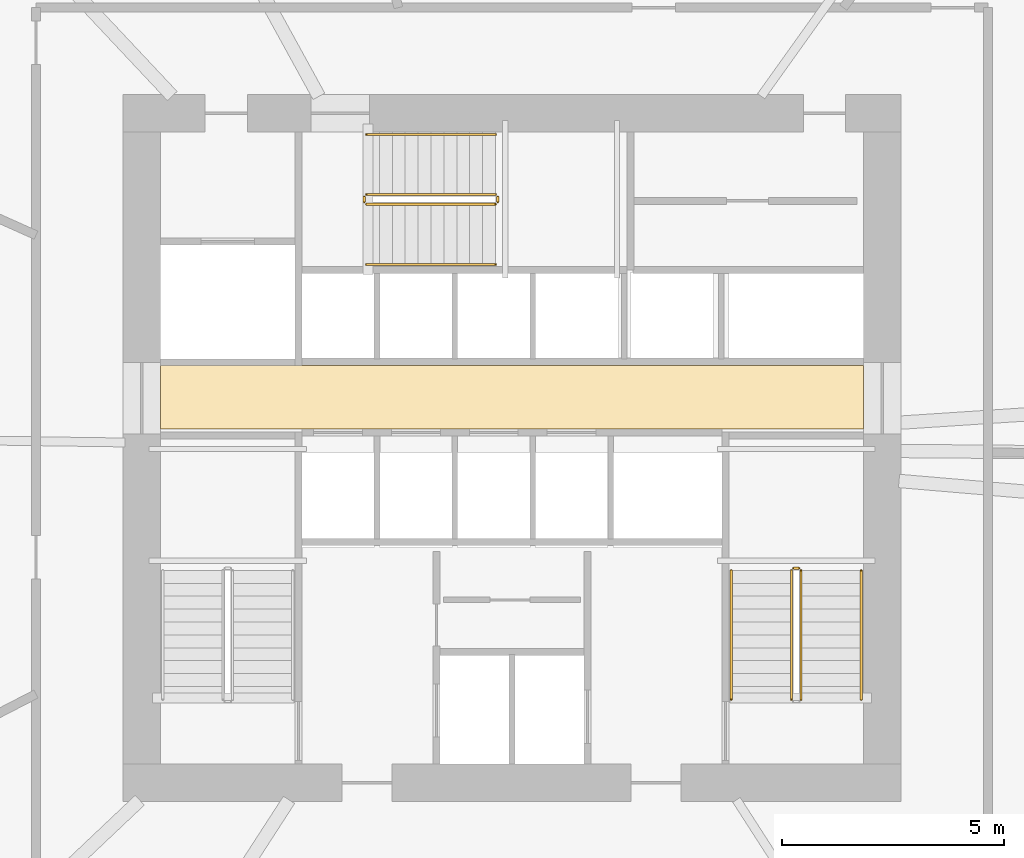
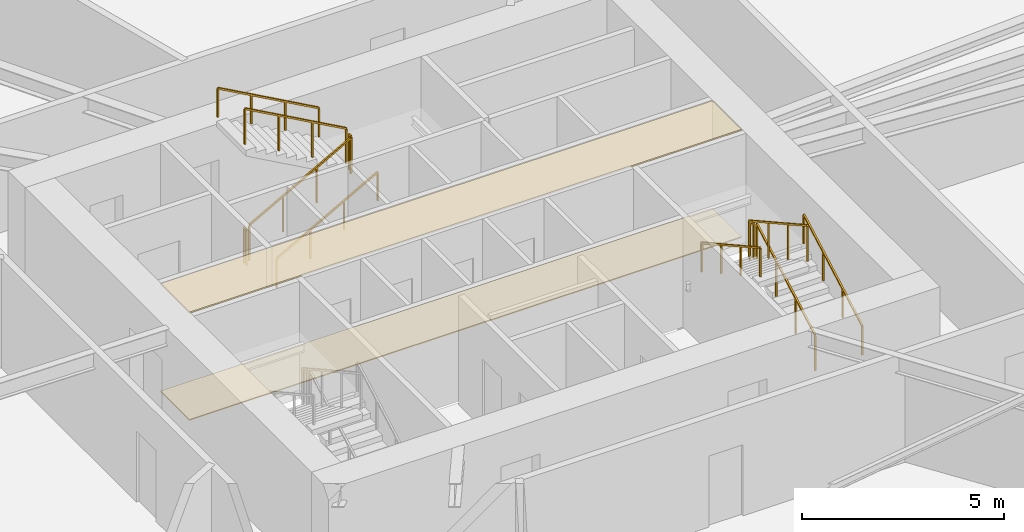
# One storey, part 23 of 24: 11 railings, 2 coverings.
"""IFC4 building model written with IfcOpenShell, lengths in metres."""

from ifc_helpers import new_model, si_unit, direction, frame, origin, origin_2d, place, context, subcontext, project, spatial, polyline, rectangle, outline, extrude, material, layer, layer_set, type_object, element, save


model = new_model("IFC4")

# Units and contexts
model_context = context("Model", 3, precision=1e-05, world=origin(), true_north=direction((0.0, 1.0)))
body_context = subcontext(model_context, "Body", "Model", "MODEL_VIEW")
ifc_project = project(units=[si_unit("LENGTHUNIT", "METRE"), si_unit("AREAUNIT", "SQUARE_METRE"), si_unit("VOLUMEUNIT", "CUBIC_METRE"), si_unit("PLANEANGLEUNIT", "RADIAN"), si_unit("MASSUNIT", "GRAM", prefix="KILO")], contexts=[model_context])

# Site, building, storey
site_placement = place(None, origin())
site = spatial("IfcSite", under=ifc_project, at=site_placement, CompositionType="ELEMENT")
building_placement = place(site_placement, origin())
building = spatial("IfcBuilding", under=site, at=building_placement, Name="Olszyna Solenne Hotel", CompositionType="ELEMENT")
storey_placement = place(building_placement, frame((0.0, 0.0, 29.300048828125)))
storey = spatial("IfcBuildingStorey", under=building, at=storey_placement, Name="L06", CompositionType="ELEMENT", Elevation=29.300048828125)

# Coverings
ifc_material_1 = material(Name="Mineral wool acoustic ceiling")
ifc_layer_1 = layer(ifc_material_1, 0.0400390625, Name="Mineral wool acoustic ceiling")
ifc_layer_set_1 = layer_set([ifc_layer_1], Name="Mineral wool acoustic ceiling")
covering_type_1 = type_object("IfcCoveringType", Name="CL-AC1", PredefinedType="CEILING", material=ifc_layer_set_1)
covering_1_placement = place(storey_placement, frame((0.0, 0.0, 3.239990234375)))
element("IfcCovering", 1, at=covering_1_placement, inside=storey, type_object=covering_type_1, Name="Lift lobby acoustic tile ceiling CL-L06-01", PredefinedType="CEILING", context=body_context, shape_type="SweptSolid", body=[
    extrude(outline(polyline([(30.10009765625, 27.030029296875), (45.89990234375, 27.030029296875), (45.89990234375, 28.4599609375), (30.10009765625, 28.4599609375), (30.10009765625, 27.030029296875)])), origin(), (0.0, 0.0, 1.0), 0.0400390625),
])
ifc_material_2 = material(Name="Ceramic floor tile")
ifc_layer_2 = layer(ifc_material_2, 0.030029296875, Name="Ceramic floor tile")
ifc_layer_set_2 = layer_set([ifc_layer_2], Name="Ceramic floor tile")
covering_type_2 = type_object("IfcCoveringType", Name="FL-TL1", PredefinedType="FLOORING", material=ifc_layer_set_2)
covering_2_placement = place(storey_placement, origin())
element("IfcCovering", 2, at=covering_2_placement, inside=storey, type_object=covering_type_2, Name="Lift lobby stoneware floor finish FLR-L06-01", PredefinedType="FLOORING", context=body_context, shape_type="SweptSolid", body=[
    extrude(outline(polyline([(30.10009765625, 27.030029296875), (45.89990234375, 27.030029296875), (45.89990234375, 28.4599609375), (30.10009765625, 28.4599609375), (30.10009765625, 27.030029296875)])), origin(), (0.0, 0.0, 1.0), 0.030029296875),
])

# Railings
ifc_material_3 = material(Name="Anodised bronze aluminium", Category="aluminium")
railing_type_1 = type_object("IfcRailingType", Name="GR-110", PredefinedType="BALUSTRADE", material=ifc_material_3)
railing_1_placement = place(storey_placement, frame((44.5, 20.949951171875, 0.161376953125)))
element("IfcRailing", 3, at=railing_1_placement, inside=storey, type_object=railing_type_1, Name="L06 ST2 stair guard 1", PredefinedType="BALUSTRADE", context=body_context, shape_type="SweptSolid", body=[
    extrude(rectangle(XDim=0.048095703125, YDim=0.048095703125, at=origin_2d()), frame((0.0, 0.0, 1.076171875), z_axis=(0.0, 0.873858693841, 0.486179990537), x_axis=(-1.0, 0.0, 0.0)), (0.0, 0.0, 1.0), 3.31884765625),
    extrude(rectangle(XDim=0.0419921875, YDim=0.0419921875, at=origin_2d()), origin(), (0.0, 0.0, 1.0), 1.052001953125),
    extrude(rectangle(XDim=0.0419921875, YDim=0.0419921875, at=origin_2d()), frame((0.0, 0.966796875, 0.537841796875)), (0.0, 0.0, 1.0), 1.052001953125),
    extrude(rectangle(XDim=0.0419921875, YDim=0.0419921875, at=origin_2d()), frame((0.0, 1.933349609375, 1.07568359375)), (0.0, 0.0, 1.0), 1.052001953125),
    extrude(rectangle(XDim=0.0419921875, YDim=0.0419921875, at=origin_2d()), frame((0.0, 2.900146484375, 1.613525390625)), (0.0, 0.0, 1.0), 1.052001953125),
])
railing_2_placement = place(storey_placement, frame((44.449951171875, 23.89990234375, 1.77490234375)))
element("IfcRailing", 4, at=railing_2_placement, inside=storey, type_object=railing_type_1, Name="L06 ST2 stair guard 2", PredefinedType="BALUSTRADE", context=body_context, shape_type="SweptSolid", body=[
    extrude(rectangle(XDim=0.048095703125, YDim=0.048095703125, at=origin_2d()), frame((0.0, 0.0, 1.076171875), z_axis=(-1.0, 0.0, 0.0), x_axis=(0.0, -1.0, 0.0)), (0.0, 0.0, 1.0), 0.119873046875),
    extrude(rectangle(XDim=0.0419921875, YDim=0.0419921875, at=origin_2d()), origin(), (0.0, 0.0, 1.0), 1.052001953125),
    extrude(rectangle(XDim=0.0419921875, YDim=0.0419921875, at=origin_2d()), frame((-0.119873046875, 0.0, 0.0)), (0.0, 0.0, 1.0), 1.052001953125),
])
railing_3_placement = place(storey_placement, frame((44.280029296875, 23.85009765625, 1.936279296875)))
element("IfcRailing", 5, at=railing_3_placement, inside=storey, type_object=railing_type_1, Name="L06 ST2 stair guard 3", PredefinedType="BALUSTRADE", context=body_context, shape_type="SweptSolid", body=[
    extrude(rectangle(XDim=0.048095703125, YDim=0.048095703125, at=origin_2d()), frame((0.0, 0.0, 1.076171875), z_axis=(0.0, -0.873827439584, 0.48623616261), x_axis=(1.0, 0.0, 0.0)), (0.0, 0.0, 1.0), 3.31884765625),
    extrude(rectangle(XDim=0.0419921875, YDim=0.0419921875, at=origin_2d()), origin(), (0.0, 0.0, 1.0), 1.052001953125),
    extrude(rectangle(XDim=0.0419921875, YDim=0.0419921875, at=origin_2d()), frame((0.0, -0.966796875, 0.537841796875)), (0.0, 0.0, 1.0), 1.052001953125),
    extrude(rectangle(XDim=0.0419921875, YDim=0.0419921875, at=origin_2d()), frame((0.0, -1.933349609375, 1.075927734375)), (0.0, 0.0, 1.0), 1.052001953125),
    extrude(rectangle(XDim=0.0419921875, YDim=0.0419921875, at=origin_2d()), frame((0.0, -2.900146484375, 1.61376953125)), (0.0, 0.0, 1.0), 1.052001953125),
])
railing_4_placement = place(storey_placement, frame((34.72998046875, 32.080078125, 0.161376953125)))
element("IfcRailing", 6, at=railing_4_placement, inside=storey, type_object=railing_type_1, Name="L06 ST3 stair guard 1", PredefinedType="BALUSTRADE", context=body_context, shape_type="SweptSolid", body=[
    extrude(rectangle(XDim=0.048095703125, YDim=0.048095703125, at=origin_2d()), frame((0.0, 0.0, 1.076171875), z_axis=(0.873841303929, 0.0, 0.486211245805), x_axis=(0.0, 1.0, 0.0)), (0.0, 0.0, 1.0), 3.318603515625),
    extrude(rectangle(XDim=0.0419921875, YDim=0.0419921875, at=origin_2d()), origin(), (0.0, 0.0, 1.0), 1.052001953125),
    extrude(rectangle(XDim=0.0419921875, YDim=0.0419921875, at=origin_2d()), frame((0.966552734375, 0.0, 0.537841796875)), (0.0, 0.0, 1.0), 1.052001953125),
    extrude(rectangle(XDim=0.0419921875, YDim=0.0419921875, at=origin_2d()), frame((1.933349609375, 0.0, 1.07568359375)), (0.0, 0.0, 1.0), 1.052001953125),
    extrude(rectangle(XDim=0.0419921875, YDim=0.0419921875, at=origin_2d()), frame((2.89990234375, 0.0, 1.613525390625)), (0.0, 0.0, 1.0), 1.052001953125),
])
railing_5_placement = place(storey_placement, frame((37.679931640625, 32.1298828125, 1.77490234375)))
element("IfcRailing", 7, at=railing_5_placement, inside=storey, type_object=railing_type_1, Name="L06 ST3 stair guard 2", PredefinedType="BALUSTRADE", context=body_context, shape_type="SweptSolid", body=[
    extrude(rectangle(XDim=0.048095703125, YDim=0.048095703125, at=origin_2d()), frame((0.0, 0.0, 1.076171875), z_axis=(0.0, 1.0, 0.0), x_axis=(-1.0, 0.0, 0.0)), (0.0, 0.0, 1.0), 0.1201171875),
    extrude(rectangle(XDim=0.0419921875, YDim=0.0419921875, at=origin_2d()), origin(), (0.0, 0.0, 1.0), 1.052001953125),
    extrude(rectangle(XDim=0.0419921875, YDim=0.0419921875, at=origin_2d()), frame((0.0, 0.1201171875, 0.0)), (0.0, 0.0, 1.0), 1.052001953125),
])
railing_6_placement = place(storey_placement, frame((37.6298828125, 32.300048828125, 1.936279296875)))
element("IfcRailing", 8, at=railing_6_placement, inside=storey, type_object=railing_type_1, Name="L06 ST3 stair guard 3", PredefinedType="BALUSTRADE", context=body_context, shape_type="SweptSolid", body=[
    extrude(rectangle(XDim=0.048095703125, YDim=0.048095703125, at=origin_2d()), frame((0.0, 0.0, 1.076171875), z_axis=(-0.873810046276, 0.0, 0.486267419253), x_axis=(0.0, -1.0, 0.0)), (0.0, 0.0, 1.0), 3.318603515625),
    extrude(rectangle(XDim=0.0419921875, YDim=0.0419921875, at=origin_2d()), origin(), (0.0, 0.0, 1.0), 1.052001953125),
    extrude(rectangle(XDim=0.0419921875, YDim=0.0419921875, at=origin_2d()), frame((-0.966552734375, 0.0, 0.537841796875)), (0.0, 0.0, 1.0), 1.052001953125),
    extrude(rectangle(XDim=0.0419921875, YDim=0.0419921875, at=origin_2d()), frame((-1.933349609375, 0.0, 1.075927734375)), (0.0, 0.0, 1.0), 1.052001953125),
    extrude(rectangle(XDim=0.0419921875, YDim=0.0419921875, at=origin_2d()), frame((-2.89990234375, 0.0, 1.61376953125)), (0.0, 0.0, 1.0), 1.052001953125),
])
railing_7_placement = place(storey_placement, frame((34.679931640625, 32.1298828125, 0.0)))
element("IfcRailing", 9, at=railing_7_placement, inside=storey, type_object=railing_type_1, Name="L06 ST3 stair guard 4", PredefinedType="BALUSTRADE", context=body_context, shape_type="SweptSolid", body=[
    extrude(rectangle(XDim=0.048095703125, YDim=0.048095703125, at=origin_2d()), frame((0.0, 0.0, 1.076171875), z_axis=(0.0, 1.0, 0.0), x_axis=(-1.0, 0.0, 0.0)), (0.0, 0.0, 1.0), 0.1201171875),
    extrude(rectangle(XDim=0.0419921875, YDim=0.0419921875, at=origin_2d()), origin(), (0.0, 0.0, 1.0), 1.052001953125),
    extrude(rectangle(XDim=0.0419921875, YDim=0.0419921875, at=origin_2d()), frame((0.0, 0.1201171875, 0.0)), (0.0, 0.0, 1.0), 1.052001953125),
])
ifc_material_4 = material(Name="Steel S355J2", Category="steel")
railing_type_2 = type_object("IfcRailingType", Name="HR-090", PredefinedType="HANDRAIL", material=ifc_material_4)
railing_8_placement = place(storey_placement, frame((45.85009765625, 20.949951171875, 0.161376953125)))
element("IfcRailing", 10, at=railing_8_placement, inside=storey, type_object=railing_type_2, Name="L06 ST2 stair handrail 1", PredefinedType="HANDRAIL", context=body_context, shape_type="SweptSolid", body=[
    extrude(rectangle(XDim=0.048095703125, YDim=0.048095703125, at=origin_2d()), frame((0.0, 0.0, 0.8759765625), z_axis=(0.0, 0.873858693841, 0.486179990537), x_axis=(-1.0, 0.0, 0.0)), (0.0, 0.0, 1.0), 3.31884765625),
    extrude(rectangle(XDim=0.0419921875, YDim=0.0419921875, at=origin_2d()), origin(), (0.0, 0.0, 1.0), 0.851806640625),
    extrude(rectangle(XDim=0.0419921875, YDim=0.0419921875, at=origin_2d()), frame((0.0, 0.966796875, 0.537841796875)), (0.0, 0.0, 1.0), 0.851806640625),
    extrude(rectangle(XDim=0.0419921875, YDim=0.0419921875, at=origin_2d()), frame((0.0, 1.933349609375, 1.07568359375)), (0.0, 0.0, 1.0), 0.851806640625),
    extrude(rectangle(XDim=0.0419921875, YDim=0.0419921875, at=origin_2d()), frame((0.0, 2.900146484375, 1.613525390625)), (0.0, 0.0, 1.0), 0.851806640625),
])
railing_9_placement = place(storey_placement, frame((42.929931640625, 23.85009765625, 1.936279296875)))
element("IfcRailing", 11, at=railing_9_placement, inside=storey, type_object=railing_type_2, Name="L06 ST2 stair handrail 2", PredefinedType="HANDRAIL", context=body_context, shape_type="SweptSolid", body=[
    extrude(rectangle(XDim=0.048095703125, YDim=0.048095703125, at=origin_2d()), frame((0.0, 0.0, 0.8759765625), z_axis=(0.0, -0.873827439584, 0.48623616261), x_axis=(1.0, 0.0, 0.0)), (0.0, 0.0, 1.0), 3.31884765625),
    extrude(rectangle(XDim=0.0419921875, YDim=0.0419921875, at=origin_2d()), origin(), (0.0, 0.0, 1.0), 0.851806640625),
    extrude(rectangle(XDim=0.0419921875, YDim=0.0419921875, at=origin_2d()), frame((0.0, -0.966796875, 0.537841796875)), (0.0, 0.0, 1.0), 0.851806640625),
    extrude(rectangle(XDim=0.0419921875, YDim=0.0419921875, at=origin_2d()), frame((0.0, -1.933349609375, 1.075927734375)), (0.0, 0.0, 1.0), 0.851806640625),
    extrude(rectangle(XDim=0.0419921875, YDim=0.0419921875, at=origin_2d()), frame((0.0, -2.900146484375, 1.61376953125)), (0.0, 0.0, 1.0), 0.851806640625),
])
railing_10_placement = place(storey_placement, frame((34.72998046875, 30.72998046875, 0.161376953125)))
element("IfcRailing", 12, at=railing_10_placement, inside=storey, type_object=railing_type_2, Name="L06 ST3 stair handrail 1", PredefinedType="HANDRAIL", context=body_context, shape_type="SweptSolid", body=[
    extrude(rectangle(XDim=0.048095703125, YDim=0.048095703125, at=origin_2d()), frame((0.0, 0.0, 0.8759765625), z_axis=(0.873841303929, 0.0, 0.486211245805), x_axis=(0.0, 1.0, 0.0)), (0.0, 0.0, 1.0), 3.318603515625),
    extrude(rectangle(XDim=0.0419921875, YDim=0.0419921875, at=origin_2d()), origin(), (0.0, 0.0, 1.0), 0.851806640625),
    extrude(rectangle(XDim=0.0419921875, YDim=0.0419921875, at=origin_2d()), frame((0.966552734375, 0.0, 0.537841796875)), (0.0, 0.0, 1.0), 0.851806640625),
    extrude(rectangle(XDim=0.0419921875, YDim=0.0419921875, at=origin_2d()), frame((1.933349609375, 0.0, 1.07568359375)), (0.0, 0.0, 1.0), 0.851806640625),
    extrude(rectangle(XDim=0.0419921875, YDim=0.0419921875, at=origin_2d()), frame((2.89990234375, 0.0, 1.613525390625)), (0.0, 0.0, 1.0), 0.851806640625),
])
railing_11_placement = place(storey_placement, frame((37.6298828125, 33.64990234375, 1.936279296875)))
element("IfcRailing", 13, at=railing_11_placement, inside=storey, type_object=railing_type_2, Name="L06 ST3 stair handrail 2", PredefinedType="HANDRAIL", context=body_context, shape_type="SweptSolid", body=[
    extrude(rectangle(XDim=0.048095703125, YDim=0.048095703125, at=origin_2d()), frame((0.0, 0.0, 0.8759765625), z_axis=(-0.873810046276, 0.0, 0.486267419253), x_axis=(0.0, -1.0, 0.0)), (0.0, 0.0, 1.0), 3.318603515625),
    extrude(rectangle(XDim=0.0419921875, YDim=0.0419921875, at=origin_2d()), origin(), (0.0, 0.0, 1.0), 0.851806640625),
    extrude(rectangle(XDim=0.0419921875, YDim=0.0419921875, at=origin_2d()), frame((-0.966552734375, 0.0, 0.537841796875)), (0.0, 0.0, 1.0), 0.851806640625),
    extrude(rectangle(XDim=0.0419921875, YDim=0.0419921875, at=origin_2d()), frame((-1.933349609375, 0.0, 1.075927734375)), (0.0, 0.0, 1.0), 0.851806640625),
    extrude(rectangle(XDim=0.0419921875, YDim=0.0419921875, at=origin_2d()), frame((-2.89990234375, 0.0, 1.61376953125)), (0.0, 0.0, 1.0), 0.851806640625),
])

save(model, "model.ifc")
